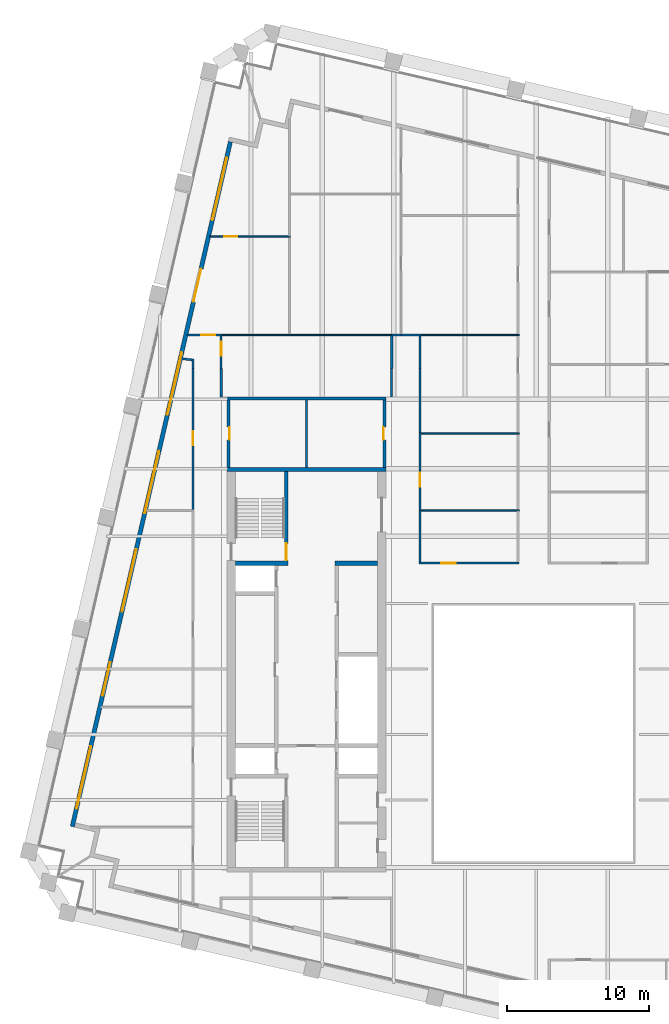
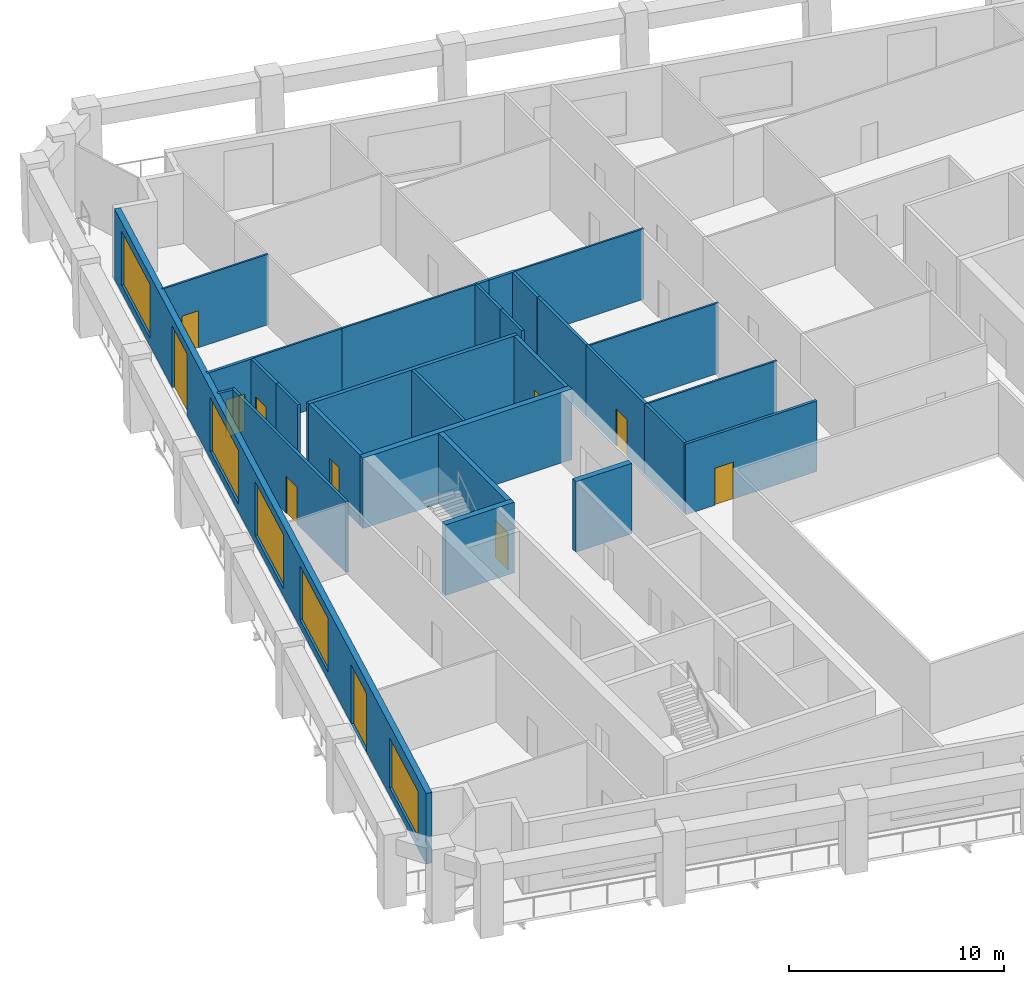
# One storey, part 7 of 10: 30 walls, 11 doors, 5 windows, 16 openings.
"""IFC4 building model written with IfcOpenShell, lengths in metres."""

from ifc_helpers import new_model, si_unit, direction, frame, frame_2d, origin, place, context, subcontext, project, spatial, rectangle, extrude, material, layer, layer_set, type_object, element, fill, save


model = new_model("IFC4")

# Units and contexts
model_context = context("Model", 3, precision=1e-05, world=origin(), true_north=direction((0.0, 1.0)))
body_context = subcontext(model_context, "Body", "Model", "MODEL_VIEW")
ifc_project = project(units=[si_unit("LENGTHUNIT", "METRE"), si_unit("AREAUNIT", "SQUARE_METRE"), si_unit("VOLUMEUNIT", "CUBIC_METRE"), si_unit("PLANEANGLEUNIT", "RADIAN"), si_unit("MASSUNIT", "GRAM", prefix="KILO")], contexts=[model_context])

# Site, building, storey
site_placement = place(None, origin())
site = spatial("IfcSite", under=ifc_project, at=site_placement, CompositionType="ELEMENT")
building_placement = place(site_placement, origin())
building = spatial("IfcBuilding", under=site, at=building_placement, Name="Ogive Exchange Tower", CompositionType="ELEMENT")
storey_placement = place(building_placement, frame((0.0, 0.0, 255.60009765625)))
storey = spatial("IfcBuildingStorey", under=building, at=storey_placement, Name="L55", CompositionType="ELEMENT", Elevation=255.60009765625)

# Walls
ifc_material_1 = material(Name="Gypsum board partition")
ifc_layer_1 = layer(ifc_material_1, 0.14990234375)
ifc_layer_set_1 = layer_set([ifc_layer_1], Name="Core room partition 150 gypsum")
wall_type_1 = type_object("IfcWallType", Name="Core room partition 150 gypsum", PredefinedType="PARTITIONING", material=ifc_layer_set_1)
wall_1_placement = place(storey_placement, frame((-16.0, 25.75, 0.0), z_axis=(0.0, 0.0, 1.0), x_axis=(0.0, 1.0, 0.0)))
element("IfcWall", 1, at=wall_1_placement, inside=storey, type_object=wall_type_1, Name="W annex N column wall", PredefinedType="PARTITIONING", context=body_context, shape_type="SweptSolid", body=[
    extrude(rectangle(XDim=4.75, YDim=0.14990234375, at=frame_2d((2.375, 0.0))), origin(), (0.0, 0.0, 1.0), 4.0),
])
ifc_layer_2 = layer(ifc_material_1, 0.300048828125)
ifc_layer_set_2 = layer_set([ifc_layer_2], Name="Core room partition 300 gypsum")
wall_type_2 = type_object("IfcWallType", Name="Core room partition 300 gypsum", PredefinedType="PARTITIONING", material=ifc_layer_set_2)
wall_2_placement = place(storey_placement, frame((-14.0, 19.0, 0.0), z_axis=(0.0, 0.0, 1.0), x_axis=(1.0, 0.0, 0.0)))
element("IfcWall", 2, at=wall_2_placement, inside=storey, type_object=wall_type_2, Name="W row B room end wall 7", PredefinedType="PARTITIONING", context=body_context, shape_type="SweptSolid", body=[
    extrude(rectangle(XDim=3.0, YDim=0.300048828125, at=frame_2d((1.5, 0.0))), origin(), (0.0, 0.0, 1.0), 4.0),
])

# Wall, opening, door
ifc_material_2 = material(Name="Fire partition EI 60 150")
ifc_layer_3 = layer(ifc_material_2, 0.14990234375)
ifc_layer_set_3 = layer_set([ifc_layer_3], Name="Fire partition EI 60 150")
wall_type_3 = type_object("IfcWallType", Name="Fire partition EI 60 150", PredefinedType="PARTITIONING", material=ifc_layer_set_3)
wall_3_placement = place(storey_placement, frame((-24.428955078125, 35.070068359375, 0.0), z_axis=(0.0, 0.0, 1.0), x_axis=(1.0, 0.0, 0.0)))
wall_3 = element("IfcWall", 3, at=wall_3_placement, inside=storey, type_object=wall_type_3, Name="L55-PWL-002", PredefinedType="PARTITIONING", context=body_context, shape_type="SweptSolid", body=[
    extrude(rectangle(XDim=2.493896484375, YDim=0.14990234375, at=frame_2d((1.2470703125, 0.0))), origin(), (0.0, 0.0, 1.0), 4.0),
])
opening_1_placement = place(wall_3_placement, frame((1.01904296875, 0.0, 0.0)))
opening_1 = element("IfcOpeningElement", 4, at=opening_1_placement, cuts=wall_3, Name="Opening L55-I11", PredefinedType="OPENING", context=body_context, shape_type="SweptSolid", body=[
    extrude(rectangle(XDim=1.0, YDim=2.10009765625, at=frame_2d((0.5, 1.050048828125))), frame((0.0, 0.0849609375, 0.0), z_axis=(0.0, -1.0, 0.0), x_axis=(1.0, 0.0, 0.0)), (0.0, 0.0, 1.0), 0.169921875),
])
ifc_material_3 = material(Name="Fire door FD 30S 1000 x 2100")
door_type_1 = type_object("IfcDoorType", Name="Fire door FD 30S 1000 x 2100", OperationType="NOTDEFINED", PredefinedType="DOOR", material=ifc_material_3)
door_1_placement = place(opening_1_placement, origin())
door_1 = element("IfcDoor", 5, at=door_1_placement, inside=storey, type_object=door_type_1, Name="L55-IDR-011", ObjectType="DT3", OperationType="SINGLE_SWING_RIGHT", OverallHeight=2.10009765625, OverallWidth=1.0, PredefinedType="DOOR", context=body_context, shape_type="SweptSolid", body=[
    extrude(rectangle(XDim=1.0, YDim=2.10009765625, at=frame_2d((0.5, 1.050048828125))), frame((0.0, 0.02490234375, 0.0), z_axis=(0.0, -1.0, 0.0), x_axis=(1.0, 0.0, 0.0)), (0.0, 0.0, 1.0), 0.050048828125),
])
fill(opening_1, door_1)

wall_4_placement = place(storey_placement, frame((-24.0, 22.77001953125, 0.0), z_axis=(0.0, 0.0, 1.0), x_axis=(0.0, 1.0, 0.0)))
wall_4 = element("IfcWall", 6, at=wall_4_placement, inside=storey, type_object=wall_type_3, Name="L55-PWL-008", PredefinedType="PARTITIONING", context=body_context, shape_type="SweptSolid", body=[
    extrude(rectangle(XDim=9.929931640625, YDim=0.14990234375, at=frame_2d((4.96484375, 0.0))), origin(), (0.0, 0.0, 1.0), 4.0),
])
opening_2_placement = place(wall_4_placement, frame((4.530029296875, 0.0, 0.0)))
opening_2 = element("IfcOpeningElement", 7, at=opening_2_placement, cuts=wall_4, Name="Opening L55-I03", PredefinedType="OPENING", context=body_context, shape_type="SweptSolid", body=[
    extrude(rectangle(XDim=1.0, YDim=2.10009765625, at=frame_2d((0.5, 1.050048828125))), frame((0.0, 0.0849609375, 0.0), z_axis=(0.0, -1.0, 0.0), x_axis=(1.0, 0.0, 0.0)), (0.0, 0.0, 1.0), 0.169921875),
])
door_2_placement = place(opening_2_placement, origin())
door_2 = element("IfcDoor", 8, at=door_2_placement, inside=storey, type_object=door_type_1, Name="L55-IDR-003", ObjectType="DT3", OperationType="SINGLE_SWING_RIGHT", OverallHeight=2.10009765625, OverallWidth=1.0, PredefinedType="DOOR", context=body_context, shape_type="SweptSolid", body=[
    extrude(rectangle(XDim=1.0, YDim=2.10009765625, at=frame_2d((0.5, 1.050048828125))), frame((0.0, 0.02490234375, 0.0), z_axis=(0.0, -1.0, 0.0), x_axis=(1.0, 0.0, 0.0)), (0.0, 0.0, 1.0), 0.050048828125),
])
fill(opening_2, door_2)

# Walls
wall_5_placement = place(storey_placement, frame((-23.989990234375, 32.699951171875, 0.0), z_axis=(0.0, 0.0, 1.0), x_axis=(0.0, 1.0, 0.0)))
element("IfcWall", 9, at=wall_5_placement, inside=storey, type_object=wall_type_3, Name="L55-PWL-010", PredefinedType="PARTITIONING", context=body_context, shape_type="SweptSolid", body=[
    extrude(rectangle(XDim=0.68505859375, YDim=0.14990234375, at=frame_2d((0.342529296875, 0.0))), origin(), (0.0, 0.0, 1.0), 4.0),
])
wall_6_placement = place(storey_placement, frame((-24.06494140625, 33.319091796875, 0.0), z_axis=(0.0, 0.0, 1.0), x_axis=(-0.993611867789, 0.112851478456, 0.0)))
element("IfcWall", 10, at=wall_6_placement, inside=storey, type_object=wall_type_3, Name="L55-PWL-011", PredefinedType="PARTITIONING", context=body_context, shape_type="SweptSolid", body=[
    extrude(rectangle(XDim=0.7529296875, YDim=0.14990234375, at=frame_2d((0.37646484375, 0.0))), origin(), (0.0, 0.0, 1.0), 4.0),
])

# Wall, opening, door
wall_7_placement = place(storey_placement, frame((-22.010009765625, 34.9951171875, 0.0), z_axis=(0.0, 0.0, 1.0), x_axis=(0.0, -1.0, 0.0)))
wall_7 = element("IfcWall", 11, at=wall_7_placement, inside=storey, type_object=wall_type_3, Name="L55-PWL-014", PredefinedType="PARTITIONING", context=body_context, shape_type="SweptSolid", body=[
    extrude(rectangle(XDim=2.295166015625, YDim=0.14990234375, at=frame_2d((1.1474609375, 0.0))), origin(), (0.0, 0.0, 1.0), 4.0),
])
opening_3_placement = place(wall_7_placement, frame((0.39501953125, 0.0, 0.0)))
opening_3 = element("IfcOpeningElement", 12, at=opening_3_placement, cuts=wall_7, Name="Opening L55-I04", PredefinedType="OPENING", context=body_context, shape_type="SweptSolid", body=[
    extrude(rectangle(XDim=1.0, YDim=2.10009765625, at=frame_2d((0.5, 1.050048828125))), frame((0.0, 0.0849609375, 0.0), z_axis=(0.0, -1.0, 0.0), x_axis=(1.0, 0.0, 0.0)), (0.0, 0.0, 1.0), 0.169921875),
])
door_3_placement = place(opening_3_placement, origin())
door_3 = element("IfcDoor", 13, at=door_3_placement, inside=storey, type_object=door_type_1, Name="L55-IDR-004", ObjectType="DT3", OperationType="SINGLE_SWING_RIGHT", OverallHeight=2.10009765625, OverallWidth=1.0, PredefinedType="DOOR", context=body_context, shape_type="SweptSolid", body=[
    extrude(rectangle(XDim=1.0, YDim=2.10009765625, at=frame_2d((0.5, 1.050048828125))), frame((0.0, 0.02490234375, 0.0), z_axis=(0.0, -1.0, 0.0), x_axis=(1.0, 0.0, 0.0)), (0.0, 0.0, 1.0), 0.050048828125),
])
fill(opening_3, door_3)

# Walls
wall_8_placement = place(storey_placement, frame((-22.0, 32.699951171875, 0.0), z_axis=(0.0, 0.0, 1.0), x_axis=(0.0, -1.0, 0.0)))
element("IfcWall", 14, at=wall_8_placement, inside=storey, type_object=wall_type_3, Name="L55-PWL-016", PredefinedType="PARTITIONING", context=body_context, shape_type="SweptSolid", body=[
    extrude(rectangle(XDim=2.010009765625, YDim=0.14990234375, at=frame_2d((1.0048828125, 0.0))), origin(), (0.0, 0.0, 1.0), 4.0),
])
wall_9_placement = place(storey_placement, frame((-10.0, 30.699951171875, 0.0), z_axis=(0.0, 0.0, 1.0), x_axis=(0.0, 1.0, 0.0)))
element("IfcWall", 15, at=wall_9_placement, inside=storey, type_object=wall_type_3, Name="L55-PWL-024", PredefinedType="PARTITIONING", context=body_context, shape_type="SweptSolid", body=[
    extrude(rectangle(XDim=2.0, YDim=0.14990234375, at=frame_2d((1.0, 0.0))), origin(), (0.0, 0.0, 1.0), 4.0),
])
wall_10_placement = place(storey_placement, frame((-9.989990234375, 32.699951171875, 0.0), z_axis=(0.0, 0.0, 1.0), x_axis=(0.0, 1.0, 0.0)))
element("IfcWall", 16, at=wall_10_placement, inside=storey, type_object=wall_type_3, Name="L55-PWL-025", PredefinedType="PARTITIONING", context=body_context, shape_type="SweptSolid", body=[
    extrude(rectangle(XDim=2.320068359375, YDim=0.14990234375, at=frame_2d((1.16015625, 0.0))), origin(), (0.0, 0.0, 1.0), 4.0),
])
wall_11_placement = place(storey_placement, frame((-9.989990234375, 35.070068359375, 0.0), z_axis=(0.0, 0.0, 1.0), x_axis=(1.0, 0.0, 0.0)))
element("IfcWall", 17, at=wall_11_placement, inside=storey, type_object=wall_type_3, Name="L55-PWL-026", PredefinedType="PARTITIONING", context=body_context, shape_type="SweptSolid", body=[
    extrude(rectangle(XDim=0.64990234375, YDim=0.14990234375, at=frame_2d((0.324951171875, 0.0))), origin(), (0.0, 0.0, 1.0), 4.0),
])
wall_12_placement = place(storey_placement, frame((-9.340087890625, 35.070068359375, 0.0), z_axis=(0.0, 0.0, 1.0), x_axis=(1.0, 0.0, 0.0)))
element("IfcWall", 18, at=wall_12_placement, inside=storey, type_object=wall_type_3, Name="L55-PWL-028", PredefinedType="PARTITIONING", context=body_context, shape_type="SweptSolid", body=[
    extrude(rectangle(XDim=1.405029296875, YDim=0.14990234375, at=frame_2d((0.70263671875, 0.0))), origin(), (0.0, 0.0, 1.0), 4.0),
])
wall_13_placement = place(storey_placement, frame((-8.010009765625, 34.9951171875, 0.0), z_axis=(0.0, 0.0, 1.0), x_axis=(0.0, -1.0, 0.0)))
element("IfcWall", 19, at=wall_13_placement, inside=storey, type_object=wall_type_3, Name="L55-PWL-032", PredefinedType="PARTITIONING", context=body_context, shape_type="SweptSolid", body=[
    extrude(rectangle(XDim=2.295166015625, YDim=0.14990234375, at=frame_2d((1.1474609375, 0.0))), origin(), (0.0, 0.0, 1.0), 4.0),
])

# Wall, opening, door
wall_14_placement = place(storey_placement, frame((-8.074951171875, 19.0, 0.0), z_axis=(0.0, 0.0, 1.0), x_axis=(1.0, 0.0, 0.0)))
wall_14 = element("IfcWall", 20, at=wall_14_placement, inside=storey, type_object=wall_type_3, Name="L55-PWL-034", PredefinedType="PARTITIONING", context=body_context, shape_type="SweptSolid", body=[
    extrude(rectangle(XDim=7.050048828125, YDim=0.14990234375, at=frame_2d((3.52490234375, 0.0))), origin(), (0.0, 0.0, 1.0), 4.0),
])
opening_4_placement = place(wall_14_placement, frame((1.574951171875, 0.0, 0.0)))
opening_4 = element("IfcOpeningElement", 21, at=opening_4_placement, cuts=wall_14, Name="Opening L55-I02", PredefinedType="OPENING", context=body_context, shape_type="SweptSolid", body=[
    extrude(rectangle(XDim=1.0, YDim=2.10009765625, at=frame_2d((0.5, 1.050048828125))), frame((0.0, 0.0849609375, 0.0), z_axis=(0.0, -1.0, 0.0), x_axis=(1.0, 0.0, 0.0)), (0.0, 0.0, 1.0), 0.169921875),
])
door_4_placement = place(opening_4_placement, origin())
door_4 = element("IfcDoor", 22, at=door_4_placement, inside=storey, type_object=door_type_1, Name="L55-IDR-002", ObjectType="DT3", OperationType="SINGLE_SWING_RIGHT", OverallHeight=2.10009765625, OverallWidth=1.0, PredefinedType="DOOR", context=body_context, shape_type="SweptSolid", body=[
    extrude(rectangle(XDim=1.0, YDim=2.10009765625, at=frame_2d((0.5, 1.050048828125))), frame((0.0, 0.02490234375, 0.0), z_axis=(0.0, -1.0, 0.0), x_axis=(1.0, 0.0, 0.0)), (0.0, 0.0, 1.0), 0.050048828125),
])
fill(opening_4, door_4)

# Wall
wall_15_placement = place(storey_placement, frame((-8.0, 22.719970703125, 0.0), z_axis=(0.0, 0.0, 1.0), x_axis=(0.0, -1.0, 0.0)))
element("IfcWall", 23, at=wall_15_placement, inside=storey, type_object=wall_type_3, Name="L55-PWL-035", PredefinedType="PARTITIONING", context=body_context, shape_type="SweptSolid", body=[
    extrude(rectangle(XDim=3.64501953125, YDim=0.14990234375, at=frame_2d((1.822509765625, 0.0))), origin(), (0.0, 0.0, 1.0), 4.0),
])

# Wall, opening, door
wall_16_placement = place(storey_placement, frame((-8.0, 28.18994140625, 0.0), z_axis=(0.0, 0.0, 1.0), x_axis=(0.0, -1.0, 0.0)))
wall_16 = element("IfcWall", 24, at=wall_16_placement, inside=storey, type_object=wall_type_3, Name="L55-PWL-037", PredefinedType="PARTITIONING", context=body_context, shape_type="SweptSolid", body=[
    extrude(rectangle(XDim=5.469970703125, YDim=0.14990234375, at=frame_2d((2.73486328125, 0.0))), origin(), (0.0, 0.0, 1.0), 4.0),
])
opening_5_placement = place(wall_16_placement, frame((2.820068359375, 0.0, 0.0)))
opening_5 = element("IfcOpeningElement", 25, at=opening_5_placement, cuts=wall_16, Name="Opening L55-I05", PredefinedType="OPENING", context=body_context, shape_type="SweptSolid", body=[
    extrude(rectangle(XDim=1.0, YDim=2.10009765625, at=frame_2d((0.5, 1.050048828125))), frame((0.0, 0.0849609375, 0.0), z_axis=(0.0, -1.0, 0.0), x_axis=(1.0, 0.0, 0.0)), (0.0, 0.0, 1.0), 0.169921875),
])
door_5_placement = place(opening_5_placement, origin())
door_5 = element("IfcDoor", 26, at=door_5_placement, inside=storey, type_object=door_type_1, Name="L55-IDR-005", ObjectType="DT3", OperationType="SINGLE_SWING_LEFT", OverallHeight=2.10009765625, OverallWidth=1.0, PredefinedType="DOOR", context=body_context, shape_type="SweptSolid", body=[
    extrude(rectangle(XDim=1.0, YDim=2.10009765625, at=frame_2d((0.5, 1.050048828125))), frame((0.0, 0.02490234375, 0.0), z_axis=(0.0, -1.0, 0.0), x_axis=(1.0, 0.0, 0.0)), (0.0, 0.0, 1.0), 0.050048828125),
])
fill(opening_5, door_5)

# Wall
wall_17_placement = place(storey_placement, frame((-8.0, 32.699951171875, 0.0), z_axis=(0.0, 0.0, 1.0), x_axis=(0.0, -1.0, 0.0)))
element("IfcWall", 27, at=wall_17_placement, inside=storey, type_object=wall_type_3, Name="L55-PWL-039", PredefinedType="PARTITIONING", context=body_context, shape_type="SweptSolid", body=[
    extrude(rectangle(XDim=4.510009765625, YDim=0.14990234375, at=frame_2d((2.2548828125, 0.0))), origin(), (0.0, 0.0, 1.0), 4.0),
])

# Wall, openings, doors, windows
ifc_material_4 = material(Name="Precast concrete C40/50", Category="concrete")
ifc_layer_4 = layer(ifc_material_4, 0.300048828125)
ifc_layer_set_4 = layer_set([ifc_layer_4], Name="Limestone-faced wall 300")
wall_type_4 = type_object("IfcWallType", Name="Limestone-faced wall 300", PredefinedType="STANDARD", material=ifc_layer_set_4)
wall_18_placement = place(storey_placement, frame((-21.35888671875, 48.67822265625, 0.0), z_axis=(0.0, 0.0, 1.0), x_axis=(-0.224949198343, -0.974370493275, 0.0)))
wall_18 = element("IfcWall", 28, at=wall_18_placement, inside=storey, type_object=wall_type_4, Name="External wall W4", PredefinedType="STANDARD", context=body_context, shape_type="SweptSolid", body=[
    extrude(rectangle(XDim=49.5, YDim=0.300048828125, at=frame_2d((24.75, 0.0))), origin(), (0.0, 0.0, 1.0), 4.0),
])
opening_6_placement = place(wall_18_placement, frame((1.156982421875, 0.0, 0.449951171875)))
opening_6 = element("IfcOpeningElement", 29, at=opening_6_placement, cuts=wall_18, Name="Opening W1", PredefinedType="OPENING", context=body_context, shape_type="SweptSolid", body=[
    extrude(rectangle(XDim=4.5, YDim=3.050048828125, at=frame_2d((2.25, 1.52490234375))), frame((0.0, 0.159912109375, 0.0), z_axis=(0.0, -1.0, 0.0), x_axis=(1.0, 0.0, 0.0)), (0.0, 0.0, 1.0), 0.320068359375),
])
opening_7_placement = place(wall_18_placement, frame((9.17138671875, 0.0, 0.0)))
opening_7 = element("IfcOpeningElement", 30, at=opening_7_placement, cuts=wall_18, Name="Opening D1", PredefinedType="OPENING", context=body_context, shape_type="SweptSolid", body=[
    extrude(rectangle(XDim=2.39990234375, YDim=3.5, at=frame_2d((1.199951171875, 1.75))), frame((0.0, 0.159912109375, 0.0), z_axis=(0.0, -1.0, 0.0), x_axis=(1.0, 0.0, 0.0)), (0.0, 0.0, 1.0), 0.320068359375),
])
opening_8_placement = place(wall_18_placement, frame((15.235595703125, 0.0, 0.449951171875)))
opening_8 = element("IfcOpeningElement", 31, at=opening_8_placement, cuts=wall_18, Name="Opening W1", PredefinedType="OPENING", context=body_context, shape_type="SweptSolid", body=[
    extrude(rectangle(XDim=4.5, YDim=3.050048828125, at=frame_2d((2.25, 1.52490234375))), frame((0.0, 0.159912109375, 0.0), z_axis=(0.0, -1.0, 0.0), x_axis=(1.0, 0.0, 0.0)), (0.0, 0.0, 1.0), 0.320068359375),
])
opening_9_placement = place(wall_18_placement, frame((22.35009765625, 0.0, 0.449951171875)))
opening_9 = element("IfcOpeningElement", 32, at=opening_9_placement, cuts=wall_18, Name="Opening W1", PredefinedType="OPENING", context=body_context, shape_type="SweptSolid", body=[
    extrude(rectangle(XDim=4.5, YDim=3.050048828125, at=frame_2d((2.25, 1.52490234375))), frame((0.0, 0.159912109375, 0.0), z_axis=(0.0, -1.0, 0.0), x_axis=(1.0, 0.0, 0.0)), (0.0, 0.0, 1.0), 0.320068359375),
])
opening_10_placement = place(wall_18_placement, frame((29.464111328125, 0.0, 0.449951171875)))
opening_10 = element("IfcOpeningElement", 33, at=opening_10_placement, cuts=wall_18, Name="Opening W1", PredefinedType="OPENING", context=body_context, shape_type="SweptSolid", body=[
    extrude(rectangle(XDim=4.5, YDim=3.050048828125, at=frame_2d((2.25, 1.52490234375))), frame((0.0, 0.159912109375, 0.0), z_axis=(0.0, -1.0, 0.0), x_axis=(1.0, 0.0, 0.0)), (0.0, 0.0, 1.0), 0.320068359375),
])
opening_11_placement = place(wall_18_placement, frame((37.62841796875, 0.0, 0.0)))
opening_11 = element("IfcOpeningElement", 34, at=opening_11_placement, cuts=wall_18, Name="Opening D1C", PredefinedType="OPENING", context=body_context, shape_type="SweptSolid", body=[
    extrude(rectangle(XDim=2.39990234375, YDim=3.324951171875, at=frame_2d((1.199951171875, 1.66259765625))), frame((0.0, 0.159912109375, 0.0), z_axis=(0.0, -1.0, 0.0), x_axis=(1.0, 0.0, 0.0)), (0.0, 0.0, 1.0), 0.320068359375),
])
opening_12_placement = place(wall_18_placement, frame((43.69287109375, 0.0, 0.449951171875)))
opening_12 = element("IfcOpeningElement", 35, at=opening_12_placement, cuts=wall_18, Name="Opening W1E", PredefinedType="OPENING", context=body_context, shape_type="SweptSolid", body=[
    extrude(rectangle(XDim=4.5, YDim=2.824951171875, at=frame_2d((2.25, 1.41259765625))), frame((0.0, 0.159912109375, 0.0), z_axis=(0.0, -1.0, 0.0), x_axis=(1.0, 0.0, 0.0)), (0.0, 0.0, 1.0), 0.320068359375),
])
ifc_material_5 = material(Name="Clear glass in bronze frame", Category="glass")
door_type_2 = type_object("IfcDoorType", Name="Sliding loggia door 2400 x 3325", OperationType="DOUBLE_DOOR_SLIDING", PredefinedType="DOOR", material=ifc_material_5)
door_6_placement = place(opening_11_placement, origin())
door_6 = element("IfcDoor", 36, at=door_6_placement, inside=storey, type_object=door_type_2, Name="Loggia door W05", OperationType="DOUBLE_DOOR_SLIDING", OverallHeight=3.324951171875, OverallWidth=2.39990234375, PredefinedType="DOOR", context=body_context, shape_type="SweptSolid", body=[
    extrude(rectangle(XDim=2.39990234375, YDim=3.324951171875, at=frame_2d((1.199951171875, 1.66259765625))), frame((0.0, 0.02490234375, 0.0), z_axis=(0.0, -1.0, 0.0), x_axis=(1.0, 0.0, 0.0)), (0.0, 0.0, 1.0), 0.050048828125),
])
fill(opening_11, door_6)
door_type_3 = type_object("IfcDoorType", Name="Sliding loggia door 2400 x 3500", OperationType="DOUBLE_DOOR_SLIDING", PredefinedType="DOOR", material=ifc_material_5)
door_7_placement = place(opening_7_placement, origin())
door_7 = element("IfcDoor", 37, at=door_7_placement, inside=storey, type_object=door_type_3, Name="Loggia door W01", OperationType="DOUBLE_DOOR_SLIDING", OverallHeight=3.5, OverallWidth=2.39990234375, PredefinedType="DOOR", context=body_context, shape_type="SweptSolid", body=[
    extrude(rectangle(XDim=2.39990234375, YDim=3.5, at=frame_2d((1.199951171875, 1.75))), frame((0.0, 0.02490234375, 0.0), z_axis=(0.0, -1.0, 0.0), x_axis=(1.0, 0.0, 0.0)), (0.0, 0.0, 1.0), 0.050048828125),
])
fill(opening_7, door_7)
window_type_1 = type_object("IfcWindowType", Name="Twin lancet window 4500 x 2825", PartitioningType="DOUBLE_PANEL_VERTICAL", PredefinedType="WINDOW", material=ifc_material_5)
window_1_placement = place(opening_12_placement, origin())
window_1 = element("IfcWindow", 38, at=window_1_placement, inside=storey, type_object=window_type_1, Name="Window W06", OverallHeight=2.824951171875, OverallWidth=4.5, PartitioningType="DOUBLE_PANEL_VERTICAL", PredefinedType="WINDOW", context=body_context, shape_type="SweptSolid", body=[
    extrude(rectangle(XDim=4.5, YDim=2.824951171875, at=frame_2d((2.25, 1.41259765625))), frame((0.0, 0.030029296875, 0.0), z_axis=(0.0, -1.0, 0.0), x_axis=(1.0, 0.0, 0.0)), (0.0, 0.0, 1.0), 0.06005859375),
])
fill(opening_12, window_1)
window_type_2 = type_object("IfcWindowType", Name="Twin lancet window 4500 x 3050", PartitioningType="DOUBLE_PANEL_VERTICAL", PredefinedType="WINDOW", material=ifc_material_5)
window_2_placement = place(opening_6_placement, origin())
window_2 = element("IfcWindow", 39, at=window_2_placement, inside=storey, type_object=window_type_2, Name="Window W00", OverallHeight=3.050048828125, OverallWidth=4.5, PartitioningType="DOUBLE_PANEL_VERTICAL", PredefinedType="WINDOW", context=body_context, shape_type="SweptSolid", body=[
    extrude(rectangle(XDim=4.5, YDim=3.050048828125, at=frame_2d((2.25, 1.52490234375))), frame((0.0, 0.030029296875, 0.0), z_axis=(0.0, -1.0, 0.0), x_axis=(1.0, 0.0, 0.0)), (0.0, 0.0, 1.0), 0.06005859375),
])
fill(opening_6, window_2)
window_3_placement = place(opening_8_placement, origin())
window_3 = element("IfcWindow", 40, at=window_3_placement, inside=storey, type_object=window_type_2, Name="Window W02", OverallHeight=3.050048828125, OverallWidth=4.5, PartitioningType="DOUBLE_PANEL_VERTICAL", PredefinedType="WINDOW", context=body_context, shape_type="SweptSolid", body=[
    extrude(rectangle(XDim=4.5, YDim=3.050048828125, at=frame_2d((2.25, 1.52490234375))), frame((0.0, 0.030029296875, 0.0), z_axis=(0.0, -1.0, 0.0), x_axis=(1.0, 0.0, 0.0)), (0.0, 0.0, 1.0), 0.06005859375),
])
fill(opening_8, window_3)
window_4_placement = place(opening_9_placement, origin())
window_4 = element("IfcWindow", 41, at=window_4_placement, inside=storey, type_object=window_type_2, Name="Window W03", OverallHeight=3.050048828125, OverallWidth=4.5, PartitioningType="DOUBLE_PANEL_VERTICAL", PredefinedType="WINDOW", context=body_context, shape_type="SweptSolid", body=[
    extrude(rectangle(XDim=4.5, YDim=3.050048828125, at=frame_2d((2.25, 1.52490234375))), frame((0.0, 0.030029296875, 0.0), z_axis=(0.0, -1.0, 0.0), x_axis=(1.0, 0.0, 0.0)), (0.0, 0.0, 1.0), 0.06005859375),
])
fill(opening_9, window_4)
window_5_placement = place(opening_10_placement, origin())
window_5 = element("IfcWindow", 42, at=window_5_placement, inside=storey, type_object=window_type_2, Name="Window W04", OverallHeight=3.050048828125, OverallWidth=4.5, PartitioningType="DOUBLE_PANEL_VERTICAL", PredefinedType="WINDOW", context=body_context, shape_type="SweptSolid", body=[
    extrude(rectangle(XDim=4.5, YDim=3.050048828125, at=frame_2d((2.25, 1.52490234375))), frame((0.0, 0.030029296875, 0.0), z_axis=(0.0, -1.0, 0.0), x_axis=(1.0, 0.0, 0.0)), (0.0, 0.0, 1.0), 0.06005859375),
])
fill(opening_10, window_5)

# Wall, opening, door
ifc_material_6 = material(Name="Partition 100 gypsum")
ifc_layer_5 = layer(ifc_material_6, 0.10009765625)
ifc_layer_set_5 = layer_set([ifc_layer_5], Name="Partition 100 gypsum")
wall_type_5 = type_object("IfcWallType", Name="Partition 100 gypsum", PredefinedType="PARTITIONING", material=ifc_layer_set_5)
wall_19_placement = place(storey_placement, frame((-22.8291015625, 42.0, 0.0), z_axis=(0.0, 0.0, 1.0), x_axis=(1.0, 0.0, 0.0)))
wall_19 = element("IfcWall", 43, at=wall_19_placement, inside=storey, type_object=wall_type_5, Name="L55-PWL-012", PredefinedType="PARTITIONING", context=body_context, shape_type="SweptSolid", body=[
    extrude(rectangle(XDim=5.689208984375, YDim=0.10009765625, at=frame_2d((2.8447265625, 0.0))), origin(), (0.0, 0.0, 1.0), 4.0),
])
opening_13_placement = place(wall_19_placement, frame((1.0390625, 0.0, 0.0)))
opening_13 = element("IfcOpeningElement", 44, at=opening_13_placement, cuts=wall_19, Name="Opening L55-I12", PredefinedType="OPENING", context=body_context, shape_type="SweptSolid", body=[
    extrude(rectangle(XDim=0.89990234375, YDim=2.10009765625, at=frame_2d((0.449951171875, 1.050048828125))), frame((0.0, 0.06005859375, 0.0), z_axis=(0.0, -1.0, 0.0), x_axis=(1.0, 0.0, 0.0)), (0.0, 0.0, 1.0), 0.1201171875),
])
ifc_material_7 = material(Name="Door 900 x 2100")
door_type_4 = type_object("IfcDoorType", Name="Door 900 x 2100", OperationType="NOTDEFINED", PredefinedType="DOOR", material=ifc_material_7)
door_8_placement = place(opening_13_placement, origin())
door_8 = element("IfcDoor", 45, at=door_8_placement, inside=storey, type_object=door_type_4, Name="L55-IDR-012", ObjectType="DT1", OperationType="SINGLE_SWING_RIGHT", OverallHeight=2.10009765625, OverallWidth=0.89990234375, PredefinedType="DOOR", context=body_context, shape_type="SweptSolid", body=[
    extrude(rectangle(XDim=0.89990234375, YDim=2.10009765625, at=frame_2d((0.449951171875, 1.050048828125))), frame((0.0, 0.02490234375, 0.0), z_axis=(0.0, -1.0, 0.0), x_axis=(1.0, 0.0, 0.0)), (0.0, 0.0, 1.0), 0.050048828125),
])
fill(opening_13, door_8)

# Walls
wall_20_placement = place(storey_placement, frame((-21.93505859375, 35.070068359375, 0.0), z_axis=(0.0, 0.0, 1.0), x_axis=(1.0, 0.0, 0.0)))
element("IfcWall", 46, at=wall_20_placement, inside=storey, type_object=wall_type_5, Name="L55-PWL-015", PredefinedType="PARTITIONING", context=body_context, shape_type="SweptSolid", body=[
    extrude(rectangle(XDim=4.7451171875, YDim=0.10009765625, at=frame_2d((2.37255859375, 0.0))), origin(), (0.0, 0.0, 1.0), 4.0),
])
wall_21_placement = place(storey_placement, frame((-17.18994140625, 35.070068359375, 0.0), z_axis=(0.0, 0.0, 1.0), x_axis=(1.0, 0.0, 0.0)))
element("IfcWall", 47, at=wall_21_placement, inside=storey, type_object=wall_type_5, Name="L55-PWL-018", PredefinedType="PARTITIONING", context=body_context, shape_type="SweptSolid", body=[
    extrude(rectangle(XDim=7.199951171875, YDim=0.10009765625, at=frame_2d((3.60009765625, 0.0))), origin(), (0.0, 0.0, 1.0), 4.0),
])
wall_22_placement = place(storey_placement, frame((-7.93505859375, 35.070068359375, 0.0), z_axis=(0.0, 0.0, 1.0), x_axis=(1.0, 0.0, 0.0)))
element("IfcWall", 48, at=wall_22_placement, inside=storey, type_object=wall_type_5, Name="L55-PWL-033", PredefinedType="PARTITIONING", context=body_context, shape_type="SweptSolid", body=[
    extrude(rectangle(XDim=6.91015625, YDim=0.10009765625, at=frame_2d((3.455078125, 0.0))), origin(), (0.0, 0.0, 1.0), 4.0),
])
for number, where, z_axis, x_axis, name in (
    (49, (-7.925048828125, 22.719970703125, 0.0), (0.0, 0.0, 1.0), (1.0, 0.0, 0.0), "L55-PWL-036"),
    (50, (-7.925048828125, 28.139892578125, 0.0), (0.0, 0.0, 1.0), (1.0, 0.0, 0.0), "L55-PWL-038"),
):
    element("IfcWall", number, at=place(storey_placement, frame(where, z_axis=z_axis, x_axis=x_axis)), inside=storey, type_object=wall_type_5, Name=name, PredefinedType="PARTITIONING", context=body_context, shape_type="SweptSolid", body=[
        extrude(rectangle(XDim=6.900146484375, YDim=0.10009765625, at=frame_2d((3.4501953125, 0.0))), origin(), (0.0, 0.0, 1.0), 4.0),
    ])

# Wall, opening, door
ifc_material_8 = material(Name="Concrete C70/85", Category="concrete")
ifc_layer_6 = layer(ifc_material_8, 0.199951171875)
ifc_layer_set_6 = layer_set([ifc_layer_6], Name="RC core wall 200 C70/85")
wall_type_6 = type_object("IfcWallType", Name="RC core wall 200 C70/85", PredefinedType="SHEAR", material=ifc_layer_set_6)
wall_23_placement = place(storey_placement, frame((-21.5, 25.75, 0.0), z_axis=(0.0, 0.0, 1.0), x_axis=(0.0, 1.0, 0.0)))
wall_23 = element("IfcWall", 51, at=wall_23_placement, inside=storey, type_object=wall_type_6, Name="W annex N outer wall", PredefinedType="SHEAR", context=body_context, shape_type="SweptSolid", body=[
    extrude(rectangle(XDim=4.75, YDim=0.199951171875, at=frame_2d((2.375, 0.0))), origin(), (0.0, 0.0, 1.0), 4.0),
])
opening_14_placement = place(wall_23_placement, frame((1.925048828125, 0.0, 0.0)))
opening_14 = element("IfcOpeningElement", 52, at=opening_14_placement, cuts=wall_23, Name="Opening L55-C17", PredefinedType="OPENING", context=body_context, shape_type="SweptSolid", body=[
    extrude(rectangle(XDim=0.89990234375, YDim=2.10009765625, at=frame_2d((0.449951171875, 1.050048828125))), frame((0.0, 0.10986328125, 0.0), z_axis=(0.0, -1.0, 0.0), x_axis=(1.0, 0.0, 0.0)), (0.0, 0.0, 1.0), 0.219970703125),
])
ifc_material_9 = material(Name="Steel fire door", Category="steel")
door_type_5 = type_object("IfcDoorType", Name="Riser door FD60 900 x 2100", OperationType="NOTDEFINED", PredefinedType="DOOR", material=ifc_material_9)
door_9_placement = place(opening_14_placement, origin())
door_9 = element("IfcDoor", 53, at=door_9_placement, inside=storey, type_object=door_type_5, Name="Riser door", ObjectType="CD2", OperationType="SINGLE_SWING_RIGHT", OverallHeight=2.10009765625, OverallWidth=0.89990234375, PredefinedType="DOOR", context=body_context, shape_type="SweptSolid", body=[
    extrude(rectangle(XDim=0.89990234375, YDim=2.10009765625, at=frame_2d((0.449951171875, 1.050048828125))), frame((0.0, -0.0498046875, 0.0), z_axis=(0.0, -1.0, 0.0), x_axis=(1.0, 0.0, 0.0)), (0.0, 0.0, 1.0), 0.050048828125),
])
fill(opening_14, door_9)

wall_24_placement = place(storey_placement, frame((-10.5, 25.75, 0.0), z_axis=(0.0, 0.0, 1.0), x_axis=(0.0, 1.0, 0.0)))
wall_24 = element("IfcWall", 54, at=wall_24_placement, inside=storey, type_object=wall_type_6, Name="W annex N inner wall", PredefinedType="SHEAR", context=body_context, shape_type="SweptSolid", body=[
    extrude(rectangle(XDim=4.75, YDim=0.199951171875, at=frame_2d((2.375, 0.0))), origin(), (0.0, 0.0, 1.0), 4.0),
])
opening_15_placement = place(wall_24_placement, frame((1.925048828125, 0.0, 0.0)))
opening_15 = element("IfcOpeningElement", 55, at=opening_15_placement, cuts=wall_24, Name="Opening L55-C18", PredefinedType="OPENING", context=body_context, shape_type="SweptSolid", body=[
    extrude(rectangle(XDim=0.89990234375, YDim=2.10009765625, at=frame_2d((0.449951171875, 1.050048828125))), frame((0.0, 0.10986328125, 0.0), z_axis=(0.0, -1.0, 0.0), x_axis=(1.0, 0.0, 0.0)), (0.0, 0.0, 1.0), 0.219970703125),
])
ifc_material_10 = material(Name="Timber fire door", Category="wood")
door_type_6 = type_object("IfcDoorType", Name="Core room door FD30S 900 x 2100", OperationType="NOTDEFINED", PredefinedType="DOOR", material=ifc_material_10)
door_10_placement = place(opening_15_placement, frame((0.89990234375, 0.14990234375, 0.0), z_axis=(0.0, 0.0, 1.0), x_axis=(-1.0, 0.0, 0.0)))
door_10 = element("IfcDoor", 56, at=door_10_placement, inside=storey, type_object=door_type_6, Name="Core room door", ObjectType="CD6", OperationType="SINGLE_SWING_RIGHT", OverallHeight=2.10009765625, OverallWidth=0.89990234375, PredefinedType="DOOR", context=body_context, shape_type="SweptSolid", body=[
    extrude(rectangle(XDim=0.89990234375, YDim=2.10009765625, at=frame_2d((0.449951171875, 1.050048828125))), frame((0.0, 0.10009765625, 0.0), z_axis=(0.0, -1.0, 0.0), x_axis=(1.0, 0.0, 0.0)), (0.0, 0.0, 1.0), 0.050048828125),
])
fill(opening_15, door_10)

# Wall
wall_25_placement = place(storey_placement, frame((-21.60009765625, 30.60009765625, 0.0), z_axis=(0.0, 0.0, 1.0), x_axis=(1.0, 0.0, 0.0)))
element("IfcWall", 57, at=wall_25_placement, inside=storey, type_object=wall_type_6, Name="W annex N end wall", PredefinedType="SHEAR", context=body_context, shape_type="SweptSolid", body=[
    extrude(rectangle(XDim=11.2001953125, YDim=0.199951171875, at=frame_2d((5.60009765625, 0.0))), origin(), (0.0, 0.0, 1.0), 4.0),
])

# Wall, opening, door
ifc_layer_7 = layer(ifc_material_8, 0.25)
ifc_layer_set_7 = layer_set([ifc_layer_7], Name="RC core wall 250 C70/85")
wall_type_7 = type_object("IfcWallType", Name="RC core wall 250 C70/85", PredefinedType="SHEAR", material=ifc_layer_set_7)
wall_26_placement = place(storey_placement, frame((-17.425048828125, 19.14990234375, 0.0), z_axis=(0.0, 0.0, 1.0), x_axis=(0.0, 1.0, 0.0)))
wall_26 = element("IfcWall", 58, at=wall_26_placement, inside=storey, type_object=wall_type_7, Name="W stair N front wall", PredefinedType="SHEAR", context=body_context, shape_type="SweptSolid", body=[
    extrude(rectangle(XDim=6.300048828125, YDim=0.25, at=frame_2d((3.14990234375, 0.0))), origin(), (0.0, 0.0, 1.0), 4.0),
])
opening_16_placement = place(wall_26_placement, frame((0.050048828125, 0.0, 0.0)))
opening_16 = element("IfcOpeningElement", 59, at=opening_16_placement, cuts=wall_26, Name="Opening L55-C13", PredefinedType="OPENING", context=body_context, shape_type="SweptSolid", body=[
    extrude(rectangle(XDim=1.199951171875, YDim=2.10009765625, at=frame_2d((0.60009765625, 1.050048828125))), frame((0.0, 0.135009765625, 0.0), z_axis=(0.0, -1.0, 0.0), x_axis=(1.0, 0.0, 0.0)), (0.0, 0.0, 1.0), 0.27001953125),
])
door_type_7 = type_object("IfcDoorType", Name="Stair door FD90 1200 x 2100", OperationType="NOTDEFINED", PredefinedType="DOOR", material=ifc_material_9)
door_11_placement = place(opening_16_placement, origin())
door_11 = element("IfcDoor", 60, at=door_11_placement, inside=storey, type_object=door_type_7, Name="Stair door", ObjectType="CD5", OperationType="SINGLE_SWING_RIGHT", OverallHeight=2.10009765625, OverallWidth=1.199951171875, PredefinedType="DOOR", context=body_context, shape_type="SweptSolid", body=[
    extrude(rectangle(XDim=1.199951171875, YDim=2.10009765625, at=frame_2d((0.60009765625, 1.050048828125))), frame((0.0, 0.02490234375, 0.0), z_axis=(0.0, -1.0, 0.0), x_axis=(1.0, 0.0, 0.0)), (0.0, 0.0, 1.0), 0.050048828125),
])
fill(opening_16, door_11)

# Walls
ifc_layer_8 = layer(ifc_material_8, 0.300048828125)
ifc_layer_set_8 = layer_set([ifc_layer_8], Name="RC core wall 300 C70/85")
wall_type_8 = type_object("IfcWallType", Name="RC core wall 300 C70/85", PredefinedType="SHEAR", material=ifc_layer_set_8)
wall_27_placement = place(storey_placement, frame((-21.60009765625, 25.60009765625, 0.0), z_axis=(0.0, 0.0, 1.0), x_axis=(1.0, 0.0, 0.0)))
element("IfcWall", 61, at=wall_27_placement, inside=storey, type_object=wall_type_8, Name="W north end wall", PredefinedType="SHEAR", context=body_context, shape_type="SweptSolid", body=[
    extrude(rectangle(XDim=11.2001953125, YDim=0.300048828125, at=frame_2d((5.60009765625, 0.0))), origin(), (0.0, 0.0, 1.0), 4.0),
])
wall_28_placement = place(storey_placement, frame((-21.0, 19.0, 0.0), z_axis=(0.0, 0.0, 1.0), x_axis=(1.0, 0.0, 0.0)))
element("IfcWall", 62, at=wall_28_placement, inside=storey, type_object=wall_type_8, Name="W stair N south wall", PredefinedType="SHEAR", context=body_context, shape_type="SweptSolid", body=[
    extrude(rectangle(XDim=3.699951171875, YDim=0.300048828125, at=frame_2d((1.85009765625, 0.0))), origin(), (0.0, 0.0, 1.0), 4.0),
])

save(model, "model.ifc")
